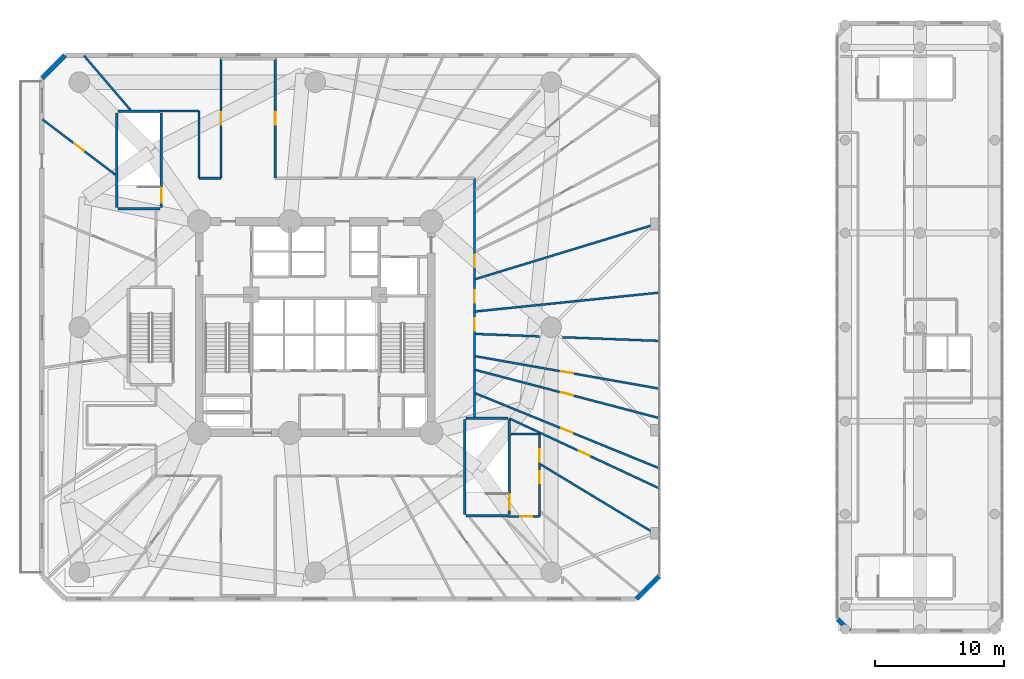
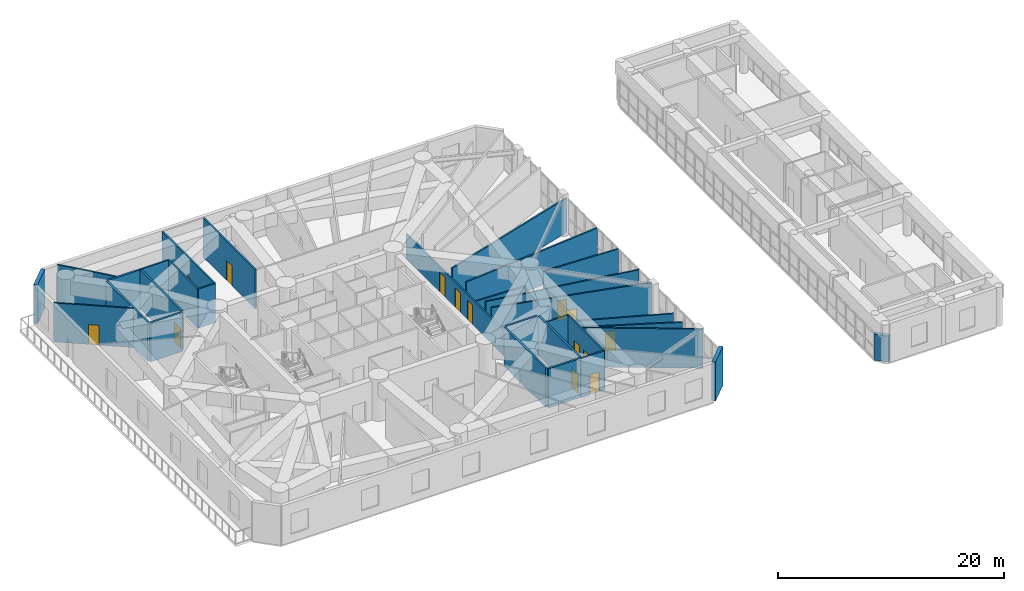
# One storey, part 16 of 22: 31 walls, 15 doors, 15 openings.
"""IFC4 building model written with IfcOpenShell, lengths in metres."""

from ifc_helpers import new_model, si_unit, direction, frame, frame_2d, origin, origin_with_axes, place, context, subcontext, project, spatial, rectangle, extrude, source, transform, mapped, material, layer, layer_set, type_object, element, fill, save


model = new_model("IFC4")

# Units and contexts
model_context = context("Model", 3, precision=1e-05, world=origin(), true_north=direction((0.0, 1.0)))
body_context = subcontext(model_context, "Body", "Model", "MODEL_VIEW")
ifc_project = project(units=[si_unit("LENGTHUNIT", "METRE"), si_unit("AREAUNIT", "SQUARE_METRE"), si_unit("VOLUMEUNIT", "CUBIC_METRE"), si_unit("PLANEANGLEUNIT", "RADIAN"), si_unit("MASSUNIT", "GRAM", prefix="KILO")], contexts=[model_context])

# Site, building, storey
site_placement = place(None, origin())
site = spatial("IfcSite", under=ifc_project, at=site_placement, CompositionType="ELEMENT")
building_placement = place(site_placement, origin())
building = spatial("IfcBuilding", under=site, at=building_placement, Name="Karkom Vertical University and Central Library", CompositionType="ELEMENT")
storey_placement = place(building_placement, frame((0.0, 0.0, 18.0)))
storey = spatial("IfcBuildingStorey", under=building, at=storey_placement, Name="L04", CompositionType="ELEMENT", Elevation=18.0)

# Walls
ifc_material_1 = material(Name="Brick masonry 360mm insulated cavity", Category="masonry")
ifc_layer_1 = layer(ifc_material_1, 0.360107421875)
ifc_layer_set_1 = layer_set([ifc_layer_1], Name="Brick masonry 360mm insulated cavity")
wall_type_1 = type_object("IfcWallType", Name="ENV-WL-BRK-360", PredefinedType="SOLIDWALL", material=ifc_layer_set_1)
for number, where, z_axis, x_axis, name in (
    (1, (53.39990234375, 5.39990234375, 0.0), (0.0, 0.0, 1.0), (0.707106781187, 0.707106781187, 0.0), "Level 04 POD Terracotta Brick Facade Wall 02"),
    (2, (9.10009765625, 47.60009765625, 0.0), (0.0, 0.0, 1.0), (-0.707106781187, -0.707106781187, 0.0), "Level 04 POD Terracotta Brick Facade Wall 06"),
):
    element("IfcWall", number, at=place(storey_placement, frame(where, z_axis=z_axis, x_axis=x_axis)), inside=storey, type_object=wall_type_1, Name=name, PredefinedType="SOLIDWALL", context=body_context, shape_type="SweptSolid", body=[
        extrude(rectangle(XDim=2.545654296875, YDim=0.360107421875, at=frame_2d((1.27294921875, 0.0))), origin(), (0.0, 0.0, 1.0), 4.22509765625),
    ])
wall_1_placement = place(storey_placement, frame((69.0, 3.8701171875, 0.0), z_axis=(0.0, 0.0, 1.0), x_axis=(0.707015922623, -0.707197628077, 0.0)))
element("IfcWall", 3, at=wall_1_placement, inside=storey, type_object=wall_type_1, Name="Level 04 LIB Terracotta Brick Facade Wall 08", PredefinedType="SOLIDWALL", context=body_context, shape_type="SweptSolid", body=[
    extrude(rectangle(XDim=1.343505859375, YDim=0.360107421875, at=frame_2d((0.671875, 0.0))), origin(), (0.0, 0.0, 1.0), 2.824951171875),
])

# Wall, openings, doors
ifc_material_2 = material(Name="Insulated metal-stud drywall 160mm", Category="gypsum")
ifc_layer_2 = layer(ifc_material_2, 0.159912109375)
ifc_layer_set_2 = layer_set([ifc_layer_2], Name="Insulated metal-stud drywall 160mm")
wall_type_2 = type_object("IfcWallType", Name="INT-WL-COR-160", PredefinedType="PARTITIONING", material=ifc_layer_set_2)
wall_2_placement = place(storey_placement, frame((40.85009765625, 38.050048828125, 0.0), z_axis=(0.0, 0.0, 1.0), x_axis=(0.0, -1.0, 0.0)))
wall_2 = element("IfcWall", 4, at=wall_2_placement, inside=storey, type_object=wall_type_2, Name="Level 04 Interior Partition Wall Level 04-PDCW-CW-009", PredefinedType="PARTITIONING", context=body_context, shape_type="SweptSolid", body=[
    extrude(rectangle(XDim=18.508056640625, YDim=0.159912109375, at=frame_2d((9.25390625, 0.0))), origin(), (0.0, 0.0, 1.0), 2.72509765625),
])
opening_1_placement = place(wall_2_placement, frame((10.85595703125, 0.0, 0.0)))
opening_1 = element("IfcOpeningElement", 5, at=opening_1_placement, cuts=wall_2, Name="Opening FD-RM2", PredefinedType="OPENING", context=body_context, shape_type="SweptSolid", body=[
    extrude(rectangle(XDim=0.9599609375, YDim=2.14990234375, at=frame_2d((0.47998046875, 1.074951171875))), frame((0.0, 0.08984375, 0.0), z_axis=(0.0, -1.0, 0.0), x_axis=(1.0, 0.0, 0.0)), (0.0, 0.0, 1.0), 0.179931640625),
])
opening_2_placement = place(wall_2_placement, frame((8.695068359375, 0.0, 0.0)))
opening_2 = element("IfcOpeningElement", 6, at=opening_2_placement, cuts=wall_2, Name="Opening FD-RM2", PredefinedType="OPENING", context=body_context, shape_type="SweptSolid", body=[
    extrude(rectangle(XDim=0.9599609375, YDim=2.14990234375, at=frame_2d((0.47998046875, 1.074951171875))), frame((0.0, 0.08984375, 0.0), z_axis=(0.0, -1.0, 0.0), x_axis=(1.0, 0.0, 0.0)), (0.0, 0.0, 1.0), 0.179931640625),
])
opening_3_placement = place(wall_2_placement, frame((5.944091796875, 0.0, 0.0)))
opening_3 = element("IfcOpeningElement", 7, at=opening_3_placement, cuts=wall_2, Name="Opening FD-RM2", PredefinedType="OPENING", context=body_context, shape_type="SweptSolid", body=[
    extrude(rectangle(XDim=0.9599609375, YDim=2.14990234375, at=frame_2d((0.47998046875, 1.074951171875))), frame((0.0, 0.08984375, 0.0), z_axis=(0.0, -1.0, 0.0), x_axis=(1.0, 0.0, 0.0)), (0.0, 0.0, 1.0), 0.179931640625),
])
ifc_material_3 = material(Name="Fire-rated oak veneer door", Category="wood")
door_type_1 = type_object("IfcDoorType", Name="INT-DR-FRM2", OperationType="NOTDEFINED", PredefinedType="DOOR", material=ifc_material_3)
shared_shape_1 = source(origin_with_axes(), body_context, "Body", "SweptSolid", [
    extrude(rectangle(XDim=0.9599609375, YDim=2.14990234375, at=frame_2d((0.47998046875, 1.074951171875))), frame((0.0, 0.02490234375, 0.0), z_axis=(0.0, -1.0, 0.0), x_axis=(1.0, 0.0, 0.0)), (0.0, 0.0, 1.0), 0.050048828125),
])
door_1_placement = place(opening_1_placement, origin())
door_1 = element("IfcDoor", 8, at=door_1_placement, inside=storey, type_object=door_type_1, Name="Level 04 Room Entry Door 817", OperationType="SINGLE_SWING_LEFT", OverallHeight=2.14990234375, OverallWidth=0.9599609375, PredefinedType="DOOR", context=body_context, shape_type="MappedRepresentation", body=[
    mapped(shared_shape_1, transform((0.0, 0.0, 0.0), scale=1.0)),
])
fill(opening_1, door_1)
door_2_placement = place(opening_2_placement, origin())
door_2 = element("IfcDoor", 9, at=door_2_placement, inside=storey, type_object=door_type_1, Name="Level 04 Room Entry Door 818", OperationType="SINGLE_SWING_RIGHT", OverallHeight=2.14990234375, OverallWidth=0.9599609375, PredefinedType="DOOR", context=body_context, shape_type="MappedRepresentation", body=[
    mapped(shared_shape_1, transform((0.0, 0.0, 0.0), scale=1.0)),
])
fill(opening_2, door_2)
door_3_placement = place(opening_3_placement, origin())
door_3 = element("IfcDoor", 10, at=door_3_placement, inside=storey, type_object=door_type_1, Name="Level 04 Room Entry Door 819", OperationType="SINGLE_SWING_LEFT", OverallHeight=2.14990234375, OverallWidth=0.9599609375, PredefinedType="DOOR", context=body_context, shape_type="MappedRepresentation", body=[
    mapped(shared_shape_1, transform((0.0, 0.0, 0.0), scale=1.0)),
])
fill(opening_3, door_3)

# Wall, opening, door
wall_3_placement = place(storey_placement, frame((40.918212890625, 21.37158203125, 0.0), z_axis=(0.0, 0.0, 1.0), x_axis=(0.92597161246, -0.377593131449, 0.0)))
wall_3 = element("IfcWall", 11, at=wall_3_placement, inside=storey, type_object=wall_type_2, Name="Level 04 Interior Partition Wall Level 04-PODW-14-15-1", PredefinedType="PARTITIONING", context=body_context, shape_type="SweptSolid", body=[
    extrude(rectangle(XDim=15.3916015625, YDim=0.159912109375, at=frame_2d((7.69580078125, 0.0))), origin(), (0.0, 0.0, 1.0), 2.72509765625),
])
opening_4_placement = place(wall_3_placement, frame((7.19580078125, 0.0, 0.0)))
opening_4 = element("IfcOpeningElement", 12, at=opening_4_placement, cuts=wall_3, Name="Opening FD-RM2", PredefinedType="OPENING", context=body_context, shape_type="SweptSolid", body=[
    extrude(rectangle(XDim=0.9599609375, YDim=2.14990234375, at=frame_2d((0.47998046875, 1.074951171875))), frame((0.0, 0.08984375, 0.0), z_axis=(0.0, -1.0, 0.0), x_axis=(1.0, 0.0, 0.0)), (0.0, 0.0, 1.0), 0.179931640625),
])
door_4_placement = place(opening_4_placement, origin())
door_4 = element("IfcDoor", 13, at=door_4_placement, inside=storey, type_object=door_type_1, Name="Level 04 Room Entry Door 814", OperationType="SINGLE_SWING_RIGHT", OverallHeight=2.14990234375, OverallWidth=0.9599609375, PredefinedType="DOOR", context=body_context, shape_type="MappedRepresentation", body=[
    mapped(shared_shape_1, transform((0.0, 0.0, 0.0), scale=1.0)),
])
fill(opening_4, door_4)

# Wall
wall_4_placement = place(storey_placement, frame((40.917724609375, 30.223388671875, 0.0), z_axis=(0.0, 0.0, 1.0), x_axis=(0.956535282376, 0.291616620873, 0.0)))
element("IfcWall", 14, at=wall_4_placement, inside=storey, type_object=wall_type_2, Name="Level 04 Interior Partition Wall Level 04-PODW-19-20-1", PredefinedType="PARTITIONING", context=body_context, shape_type="SweptSolid", body=[
    extrude(rectangle(XDim=14.902099609375, YDim=0.159912109375, at=frame_2d((7.451171875, 0.0))), origin(), (0.0, 0.0, 1.0), 3.72509765625),
])

# Wall, opening, door
wall_5_placement = place(storey_placement, frame((40.91748046875, 23.18408203125, 0.0), z_axis=(0.0, 0.0, 1.0), x_axis=(0.967334122043, -0.253504825064, 0.0)))
wall_5 = element("IfcWall", 15, at=wall_5_placement, inside=storey, type_object=wall_type_2, Name="Level 04 Interior Partition Wall Level 04-PODW-15-16-1", PredefinedType="PARTITIONING", context=body_context, shape_type="SweptSolid", body=[
    extrude(rectangle(XDim=14.73681640625, YDim=0.159912109375, at=frame_2d((7.368408203125, 0.0))), origin(), (0.0, 0.0, 1.0), 3.72509765625),
])
opening_5_placement = place(wall_5_placement, frame((6.868408203125, 0.0, 0.0)))
opening_5 = element("IfcOpeningElement", 16, at=opening_5_placement, cuts=wall_5, Name="Opening FD-RM2", PredefinedType="OPENING", context=body_context, shape_type="SweptSolid", body=[
    extrude(rectangle(XDim=0.9599609375, YDim=2.14990234375, at=frame_2d((0.47998046875, 1.074951171875))), frame((0.0, 0.08984375, 0.0), z_axis=(0.0, -1.0, 0.0), x_axis=(1.0, 0.0, 0.0)), (0.0, 0.0, 1.0), 0.179931640625),
])
door_5_placement = place(opening_5_placement, origin())
door_5 = element("IfcDoor", 17, at=door_5_placement, inside=storey, type_object=door_type_1, Name="Level 04 Room Entry Door 815", OperationType="SINGLE_SWING_LEFT", OverallHeight=2.14990234375, OverallWidth=0.9599609375, PredefinedType="DOOR", context=body_context, shape_type="MappedRepresentation", body=[
    mapped(shared_shape_1, transform((0.0, 0.0, 0.0), scale=1.0)),
])
fill(opening_5, door_5)

wall_6_placement = place(storey_placement, frame((40.931884765625, 24.244384765625, 0.0), z_axis=(0.0, 0.0, 1.0), x_axis=(0.984776590319, -0.173824817446, 0.0)))
wall_6 = element("IfcWall", 18, at=wall_6_placement, inside=storey, type_object=wall_type_2, Name="Level 04 Interior Partition Wall Level 04-PODW-16-17-1", PredefinedType="PARTITIONING", context=body_context, shape_type="SweptSolid", body=[
    extrude(rectangle(XDim=14.46240234375, YDim=0.159912109375, at=frame_2d((7.231201171875, 0.0))), origin(), (0.0, 0.0, 1.0), 3.72509765625),
])
opening_6_placement = place(wall_6_placement, frame((6.738525390625, 0.0, 0.0)))
opening_6 = element("IfcOpeningElement", 19, at=opening_6_placement, cuts=wall_6, Name="Opening FD-RM2", PredefinedType="OPENING", context=body_context, shape_type="SweptSolid", body=[
    extrude(rectangle(XDim=0.9599609375, YDim=2.14990234375, at=frame_2d((0.47998046875, 1.074951171875))), frame((0.0, 0.08984375, 0.0), z_axis=(0.0, -1.0, 0.0), x_axis=(1.0, 0.0, 0.0)), (0.0, 0.0, 1.0), 0.179931640625),
])
door_6_placement = place(opening_6_placement, origin())
door_6 = element("IfcDoor", 20, at=door_6_placement, inside=storey, type_object=door_type_1, Name="Level 04 Room Entry Door 816", OperationType="SINGLE_SWING_RIGHT", OverallHeight=2.14990234375, OverallWidth=0.9599609375, PredefinedType="DOOR", context=body_context, shape_type="MappedRepresentation", body=[
    mapped(shared_shape_1, transform((0.0, 0.0, 0.0), scale=1.0)),
])
fill(opening_6, door_6)

# Wall
wall_7_placement = place(storey_placement, frame((40.9169921875, 27.714599609375, 0.0), z_axis=(0.0, 0.0, 1.0), x_axis=(0.994774077244, 0.102100613339, 0.0)))
element("IfcWall", 21, at=wall_7_placement, inside=storey, type_object=wall_type_2, Name="Level 04 Interior Partition Wall Level 04-PODW-18-19-1", PredefinedType="PARTITIONING", context=body_context, shape_type="SweptSolid", body=[
    extrude(rectangle(XDim=14.332763671875, YDim=0.159912109375, at=frame_2d((7.16650390625, 0.0))), origin(), (0.0, 0.0, 1.0), 3.72509765625),
])

# Wall, opening, door
wall_8_placement = place(storey_placement, frame((43.57275390625, 19.408203125, 0.0), z_axis=(0.0, 0.0, 1.0), x_axis=(0.906378533885, -0.422466511468, 0.0)))
wall_8 = element("IfcWall", 22, at=wall_8_placement, inside=storey, type_object=wall_type_2, Name="Level 04 Interior Partition Wall Level 04-PODW-13-14-1", PredefinedType="PARTITIONING", context=body_context, shape_type="SweptSolid", body=[
    extrude(rectangle(XDim=12.7939453125, YDim=0.159912109375, at=frame_2d((6.39697265625, 0.0))), origin(), (0.0, 0.0, 1.0), 2.72509765625),
])
opening_7_placement = place(wall_8_placement, frame((5.904541015625, 0.0, 0.0)))
opening_7 = element("IfcOpeningElement", 23, at=opening_7_placement, cuts=wall_8, Name="Opening FD-RM2", PredefinedType="OPENING", context=body_context, shape_type="SweptSolid", body=[
    extrude(rectangle(XDim=0.9599609375, YDim=2.14990234375, at=frame_2d((0.47998046875, 1.074951171875))), frame((0.0, 0.08984375, 0.0), z_axis=(0.0, -1.0, 0.0), x_axis=(1.0, 0.0, 0.0)), (0.0, 0.0, 1.0), 0.179931640625),
])
door_7_placement = place(opening_7_placement, origin())
door_7 = element("IfcDoor", 24, at=door_7_placement, inside=storey, type_object=door_type_1, Name="Level 04 Room Entry Door 813", OperationType="SINGLE_SWING_LEFT", OverallHeight=2.14990234375, OverallWidth=0.9599609375, PredefinedType="DOOR", context=body_context, shape_type="MappedRepresentation", body=[
    mapped(shared_shape_1, transform((0.0, 0.0, 0.0), scale=1.0)),
])
fill(opening_7, door_7)

# Wall
wall_9_placement = place(storey_placement, frame((45.98193359375, 15.853271484375, 0.0), z_axis=(0.0, 0.0, 1.0), x_axis=(0.855606653808, -0.517626558398, 0.0)))
element("IfcWall", 25, at=wall_9_placement, inside=storey, type_object=wall_type_2, Name="Level 04 Interior Partition Wall Level 04-PODW-12-13-1", PredefinedType="PARTITIONING", context=body_context, shape_type="SweptSolid", body=[
    extrude(rectangle(XDim=10.7333984375, YDim=0.159912109375, at=frame_2d((5.36669921875, 0.0))), origin(), (0.0, 0.0, 1.0), 4.22509765625),
])

# Wall, opening, door
wall_10_placement = place(storey_placement, frame((21.199951171875, 38.050048828125, 0.0), z_axis=(0.0, 0.0, 1.0), x_axis=(0.0, 1.0, 0.0)))
wall_10 = element("IfcWall", 26, at=wall_10_placement, inside=storey, type_object=wall_type_2, Name="Level 04 Interior Partition Wall Level 04-PDCW-CW-005", PredefinedType="PARTITIONING", context=body_context, shape_type="SweptSolid", body=[
    extrude(rectangle(XDim=9.27001953125, YDim=0.159912109375, at=frame_2d((4.635009765625, 0.0))), origin(), (0.0, 0.0, 1.0), 4.22509765625),
])
opening_8_placement = place(wall_10_placement, frame((4.159912109375, 0.0, 0.0)))
opening_8 = element("IfcOpeningElement", 27, at=opening_8_placement, cuts=wall_10, Name="Opening FD-RM2", PredefinedType="OPENING", context=body_context, shape_type="SweptSolid", body=[
    extrude(rectangle(XDim=0.9599609375, YDim=2.14990234375, at=frame_2d((0.47998046875, 1.074951171875))), frame((0.0, 0.08984375, 0.0), z_axis=(0.0, -1.0, 0.0), x_axis=(1.0, 0.0, 0.0)), (0.0, 0.0, 1.0), 0.179931640625),
])
door_8_placement = place(opening_8_placement, origin())
door_8 = element("IfcDoor", 28, at=door_8_placement, inside=storey, type_object=door_type_1, Name="Level 04 Room Entry Door 829", OperationType="SINGLE_SWING_LEFT", OverallHeight=2.14990234375, OverallWidth=0.9599609375, PredefinedType="DOOR", context=body_context, shape_type="MappedRepresentation", body=[
    mapped(shared_shape_1, transform((0.0, 0.0, 0.0), scale=1.0)),
])
fill(opening_8, door_8)

wall_11_placement = place(storey_placement, frame((25.39990234375, 47.320068359375, 0.0), z_axis=(0.0, 0.0, 1.0), x_axis=(0.0, -1.0, 0.0)))
wall_11 = element("IfcWall", 29, at=wall_11_placement, inside=storey, type_object=wall_type_2, Name="Level 04 Interior Partition Wall Level 04-PDCW-CW-007", PredefinedType="PARTITIONING", context=body_context, shape_type="SweptSolid", body=[
    extrude(rectangle(XDim=9.27001953125, YDim=0.159912109375, at=frame_2d((4.635009765625, 0.0))), origin(), (0.0, 0.0, 1.0), 4.22509765625),
])
opening_9_placement = place(wall_11_placement, frame((4.159912109375, 0.0, 0.0)))
opening_9 = element("IfcOpeningElement", 30, at=opening_9_placement, cuts=wall_11, Name="Opening FD-RM2", PredefinedType="OPENING", context=body_context, shape_type="SweptSolid", body=[
    extrude(rectangle(XDim=0.9599609375, YDim=2.14990234375, at=frame_2d((0.47998046875, 1.074951171875))), frame((0.0, 0.08984375, 0.0), z_axis=(0.0, -1.0, 0.0), x_axis=(1.0, 0.0, 0.0)), (0.0, 0.0, 1.0), 0.179931640625),
])
door_9_placement = place(opening_9_placement, origin())
door_9 = element("IfcDoor", 31, at=door_9_placement, inside=storey, type_object=door_type_1, Name="Level 04 Room Entry Door 828", OperationType="SINGLE_SWING_RIGHT", OverallHeight=2.14990234375, OverallWidth=0.9599609375, PredefinedType="DOOR", context=body_context, shape_type="MappedRepresentation", body=[
    mapped(shared_shape_1, transform((0.0, 0.0, 0.0), scale=1.0)),
])
fill(opening_9, door_9)

# Wall
wall_12_placement = place(storey_placement, frame((47.68994140625, 25.715576171875, 0.0), z_axis=(0.0, 0.0, 1.0), x_axis=(0.999288692834, -0.0377108522, 0.0)))
element("IfcWall", 32, at=wall_12_placement, inside=storey, type_object=wall_type_2, Name="Level 04 Interior Partition Wall Level 04-PODW-17-18-2", PredefinedType="PARTITIONING", context=body_context, shape_type="SweptSolid", body=[
    extrude(rectangle(XDim=7.490478515625, YDim=0.159912109375, at=frame_2d((3.7451171875, 0.0))), origin(), (0.0, 0.0, 1.0), 3.72509765625),
])

# Wall, opening, door
wall_13_placement = place(storey_placement, frame((13.0048828125, 38.32080078125, 0.0), z_axis=(0.0, 0.0, 1.0), x_axis=(-0.796928360901, 0.604073826276, 0.0)))
wall_13 = element("IfcWall", 33, at=wall_13_placement, inside=storey, type_object=wall_type_2, Name="Level 04 Interior Partition Wall Level 04-PODW-31-32-1", PredefinedType="PARTITIONING", context=body_context, shape_type="SweptSolid", body=[
    extrude(rectangle(XDim=7.11083984375, YDim=0.159912109375, at=frame_2d((3.555419921875, 0.0))), origin(), (0.0, 0.0, 1.0), 4.22509765625),
])
opening_10_placement = place(wall_13_placement, frame((3.055419921875, 0.0, 0.0)))
opening_10 = element("IfcOpeningElement", 34, at=opening_10_placement, cuts=wall_13, Name="Opening FD-RM2", PredefinedType="OPENING", context=body_context, shape_type="SweptSolid", body=[
    extrude(rectangle(XDim=0.9599609375, YDim=2.14990234375, at=frame_2d((0.47998046875, 1.074951171875))), frame((0.0, 0.08984375, 0.0), z_axis=(0.0, -1.0, 0.0), x_axis=(1.0, 0.0, 0.0)), (0.0, 0.0, 1.0), 0.179931640625),
])
door_10_placement = place(opening_10_placement, origin())
door_10 = element("IfcDoor", 35, at=door_10_placement, inside=storey, type_object=door_type_1, Name="Level 04 Room Entry Door 830", OperationType="SINGLE_SWING_RIGHT", OverallHeight=2.14990234375, OverallWidth=0.9599609375, PredefinedType="DOOR", context=body_context, shape_type="MappedRepresentation", body=[
    mapped(shared_shape_1, transform((0.0, 0.0, 0.0), scale=1.0)),
])
fill(opening_10, door_10)

# Wall, openings, doors
wall_14_placement = place(storey_placement, frame((45.89990234375, 18.199951171875, 0.0), z_axis=(0.0, 0.0, 1.0), x_axis=(0.0, -1.0, 0.0)))
wall_14 = element("IfcWall", 36, at=wall_14_placement, inside=storey, type_object=wall_type_2, Name="Level 04 Interior Partition Wall Level 04-PDCW-CW-022", PredefinedType="PARTITIONING", context=body_context, shape_type="SweptSolid", body=[
    extrude(rectangle(XDim=6.39990234375, YDim=0.159912109375, at=frame_2d((3.199951171875, 0.0))), origin(), (0.0, 0.0, 1.0), 4.22509765625),
])
opening_11_placement = place(wall_14_placement, frame((2.864990234375, 0.0, 0.0)))
opening_11 = element("IfcOpeningElement", 37, at=opening_11_placement, cuts=wall_14, Name="Opening FD-RM2", PredefinedType="OPENING", context=body_context, shape_type="SweptSolid", body=[
    extrude(rectangle(XDim=0.9599609375, YDim=2.14990234375, at=frame_2d((0.47998046875, 1.074951171875))), frame((0.0, 0.08984375, 0.0), z_axis=(0.0, -1.0, 0.0), x_axis=(1.0, 0.0, 0.0)), (0.0, 0.0, 1.0), 0.179931640625),
])
opening_12_placement = place(wall_14_placement, frame((1.175048828125, 0.0, 0.0)))
opening_12 = element("IfcOpeningElement", 38, at=opening_12_placement, cuts=wall_14, Name="Opening FD-RM2", PredefinedType="OPENING", context=body_context, shape_type="SweptSolid", body=[
    extrude(rectangle(XDim=0.9599609375, YDim=2.14990234375, at=frame_2d((0.47998046875, 1.074951171875))), frame((0.0, 0.08984375, 0.0), z_axis=(0.0, -1.0, 0.0), x_axis=(1.0, 0.0, 0.0)), (0.0, 0.0, 1.0), 0.179931640625),
])
door_11_placement = place(opening_11_placement, origin())
door_11 = element("IfcDoor", 39, at=door_11_placement, inside=storey, type_object=door_type_1, Name="Level 04 Room Entry Door 811", OperationType="SINGLE_SWING_LEFT", OverallHeight=2.14990234375, OverallWidth=0.9599609375, PredefinedType="DOOR", context=body_context, shape_type="MappedRepresentation", body=[
    mapped(shared_shape_1, transform((0.0, 0.0, 0.0), scale=1.0)),
])
fill(opening_11, door_11)
door_12_placement = place(opening_12_placement, origin())
door_12 = element("IfcDoor", 40, at=door_12_placement, inside=storey, type_object=door_type_1, Name="Level 04 Room Entry Door 812", OperationType="SINGLE_SWING_RIGHT", OverallHeight=2.14990234375, OverallWidth=0.9599609375, PredefinedType="DOOR", context=body_context, shape_type="MappedRepresentation", body=[
    mapped(shared_shape_1, transform((0.0, 0.0, 0.0), scale=1.0)),
])
fill(opening_12, door_12)

# Walls
wall_15_placement = place(storey_placement, frame((14.176513671875, 43.3369140625, 0.0), z_axis=(0.0, 0.0, 1.0), x_axis=(-0.65004930136, 0.759892035622, 0.0)))
element("IfcWall", 41, at=wall_15_placement, inside=storey, type_object=wall_type_2, Name="Level 04 Interior Partition Wall Level 04-PODW-30-31-1", PredefinedType="PARTITIONING", context=body_context, shape_type="SweptSolid", body=[
    extrude(rectangle(XDim=5.556640625, YDim=0.159912109375, at=frame_2d((2.7783203125, 0.0))), origin(), (0.0, 0.0, 1.0), 4.22509765625),
])
wall_16_placement = place(storey_placement, frame((19.47998046875, 43.25, 0.0), z_axis=(0.0, 0.0, 1.0), x_axis=(0.0, -1.0, 0.0)))
element("IfcWall", 42, at=wall_16_placement, inside=storey, type_object=wall_type_2, Name="Level 04 Interior Partition Wall Level 04-PDCW-CW-003", PredefinedType="PARTITIONING", context=body_context, shape_type="SweptSolid", body=[
    extrude(rectangle(XDim=5.199951171875, YDim=0.159912109375, at=frame_2d((2.60009765625, 0.0))), origin(), (0.0, 0.0, 1.0), 4.22509765625),
])
wall_17_placement = place(storey_placement, frame((40.9169921875, 25.97119140625, 0.0), z_axis=(0.0, 0.0, 1.0), x_axis=(0.999288275906, -0.037721898636, 0.0)))
element("IfcWall", 43, at=wall_17_placement, inside=storey, type_object=wall_type_2, Name="Level 04 Interior Partition Wall Level 04-PODW-17-18-1", PredefinedType="PARTITIONING", context=body_context, shape_type="SweptSolid", body=[
    extrude(rectangle(XDim=4.99658203125, YDim=0.159912109375, at=frame_2d((2.498291015625, 0.0))), origin(), (0.0, 0.0, 1.0), 2.72509765625),
])
wall_18_placement = place(storey_placement, frame((16.465087890625, 43.25, 0.0), z_axis=(0.0, 0.0, 1.0), x_axis=(1.0, 0.0, 0.0)))
element("IfcWall", 44, at=wall_18_placement, inside=storey, type_object=wall_type_2, Name="Level 04 Interior Partition Wall Level 04-PDCW-CW-002", PredefinedType="PARTITIONING", context=body_context, shape_type="SweptSolid", body=[
    extrude(rectangle(XDim=3.014892578125, YDim=0.159912109375, at=frame_2d((1.50732421875, 0.0))), origin(), (0.0, 0.0, 1.0), 4.22509765625),
])

# Wall, opening, door
wall_19_placement = place(storey_placement, frame((45.89990234375, 11.800048828125, 0.0), z_axis=(0.0, 0.0, 1.0), x_axis=(-1.0, 0.0, 0.0)))
wall_19 = element("IfcWall", 45, at=wall_19_placement, inside=storey, type_object=wall_type_2, Name="Level 04 Interior Partition Wall Level 04-PDCW-CW-020", PredefinedType="PARTITIONING", context=body_context, shape_type="SweptSolid", body=[
    extrude(rectangle(XDim=2.434814453125, YDim=0.159912109375, at=frame_2d((1.21728515625, 0.0))), origin(), (0.0, 0.0, 1.0), 4.22509765625),
])
opening_13_placement = place(wall_19_placement, frame((0.554931640625, 0.0, 0.0)))
opening_13 = element("IfcOpeningElement", 46, at=opening_13_placement, cuts=wall_19, Name="Opening FD-RM2", PredefinedType="OPENING", context=body_context, shape_type="SweptSolid", body=[
    extrude(rectangle(XDim=0.9599609375, YDim=2.14990234375, at=frame_2d((0.47998046875, 1.074951171875))), frame((0.0, 0.08984375, 0.0), z_axis=(0.0, -1.0, 0.0), x_axis=(1.0, 0.0, 0.0)), (0.0, 0.0, 1.0), 0.179931640625),
])
door_13_placement = place(opening_13_placement, origin())
door_13 = element("IfcDoor", 47, at=door_13_placement, inside=storey, type_object=door_type_1, Name="Level 04 Room Entry Door 810", OperationType="SINGLE_SWING_RIGHT", OverallHeight=2.14990234375, OverallWidth=0.9599609375, PredefinedType="DOOR", context=body_context, shape_type="MappedRepresentation", body=[
    mapped(shared_shape_1, transform((0.0, 0.0, 0.0), scale=1.0)),
])
fill(opening_13, door_13)

# Walls
wall_20_placement = place(storey_placement, frame((43.672119140625, 18.199951171875, 0.0), z_axis=(0.0, 0.0, 1.0), x_axis=(1.0, 0.0, 0.0)))
element("IfcWall", 48, at=wall_20_placement, inside=storey, type_object=wall_type_2, Name="Level 04 Interior Partition Wall Level 04-PDCW-CW-021", PredefinedType="PARTITIONING", context=body_context, shape_type="SweptSolid", body=[
    extrude(rectangle(XDim=2.227783203125, YDim=0.159912109375, at=frame_2d((1.11376953125, 0.0))), origin(), (0.0, 0.0, 1.0), 4.22509765625),
])
wall_21_placement = place(storey_placement, frame((19.47998046875, 38.050048828125, 0.0), z_axis=(0.0, 0.0, 1.0), x_axis=(1.0, 0.0, 0.0)))
element("IfcWall", 49, at=wall_21_placement, inside=storey, type_object=wall_type_2, Name="Level 04 Interior Partition Wall Level 04-PDCW-CW-004", PredefinedType="PARTITIONING", context=body_context, shape_type="SweptSolid", body=[
    extrude(rectangle(XDim=1.719970703125, YDim=0.159912109375, at=frame_2d((0.85986328125, 0.0))), origin(), (0.0, 0.0, 1.0), 4.22509765625),
])
ifc_material_4 = material(Name="Concrete C45/55", Category="concrete")
ifc_layer_3 = layer(ifc_material_4, 0.199951171875)
ifc_layer_set_3 = layer_set([ifc_layer_3], Name="Concrete C45/55")
wall_type_3 = type_object("IfcWallType", Name="STR-WL-ST-200", PredefinedType="SHEAR", material=ifc_layer_set_3)
wall_22_placement = place(storey_placement, frame((13.094970703125, 35.780029296875, 0.0), z_axis=(0.0, 0.0, 1.0), x_axis=(0.0, 1.0, 0.0)))
element("IfcWall", 50, at=wall_22_placement, inside=storey, type_object=wall_type_3, Name="Level 04 Core Shaft Wall Level 04-W-POD2-W", PredefinedType="SHEAR", context=body_context, shape_type="SweptSolid", body=[
    extrude(rectangle(XDim=7.349853515625, YDim=0.199951171875, at=frame_2d((3.6748046875, 0.0))), origin(), (0.0, 0.0, 1.0), 4.22509765625),
])

# Wall, opening, door
wall_23_placement = place(storey_placement, frame((16.56494140625, 35.780029296875, 0.0), z_axis=(0.0, 0.0, 1.0), x_axis=(0.0, 1.0, 0.0)))
wall_23 = element("IfcWall", 51, at=wall_23_placement, inside=storey, type_object=wall_type_3, Name="Level 04 Core Shaft Wall Level 04-W-POD2-E", PredefinedType="SHEAR", context=body_context, shape_type="SweptSolid", body=[
    extrude(rectangle(XDim=7.349853515625, YDim=0.199951171875, at=frame_2d((3.6748046875, 0.0))), origin(), (0.0, 0.0, 1.0), 4.22509765625),
])
opening_14_placement = place(wall_23_placement, frame((0.35009765625, 0.0, 0.0)))
opening_14 = element("IfcOpeningElement", 52, at=opening_14_placement, cuts=wall_23, Name="Opening FD-ST1", PredefinedType="OPENING", context=body_context, shape_type="SweptSolid", body=[
    extrude(rectangle(XDim=1.14990234375, YDim=2.14990234375, at=frame_2d((0.574951171875, 1.074951171875))), frame((0.0, 0.10986328125, 0.0), z_axis=(0.0, -1.0, 0.0), x_axis=(1.0, 0.0, 0.0)), (0.0, 0.0, 1.0), 0.219970703125),
])
ifc_material_5 = material(Name="Painted steel acoustic fire door", Category="steel")
door_type_2 = type_object("IfcDoorType", Name="INT-DR-ST1", OperationType="NOTDEFINED", PredefinedType="DOOR", material=ifc_material_5)
shared_shape_2 = source(origin_with_axes(), body_context, "Body", "SweptSolid", [
    extrude(rectangle(XDim=1.14990234375, YDim=2.14990234375, at=frame_2d((0.574951171875, 1.074951171875))), frame((0.0, 0.02490234375, 0.0), z_axis=(0.0, -1.0, 0.0), x_axis=(1.0, 0.0, 0.0)), (0.0, 0.0, 1.0), 0.050048828125),
])
door_14_placement = place(opening_14_placement, origin())
door_14 = element("IfcDoor", 53, at=door_14_placement, inside=storey, type_object=door_type_2, Name="Level 04 POD2 Stair Door", OperationType="SINGLE_SWING_LEFT", OverallHeight=2.14990234375, OverallWidth=1.14990234375, PredefinedType="DOOR", context=body_context, shape_type="MappedRepresentation", body=[
    mapped(shared_shape_2, transform((0.0, 0.0, 0.0), scale=1.0)),
])
fill(opening_14, door_14)

# Wall
wall_24_placement = place(storey_placement, frame((40.094970703125, 11.97998046875, 0.0), z_axis=(0.0, 0.0, 1.0), x_axis=(0.0, 1.0, 0.0)))
element("IfcWall", 54, at=wall_24_placement, inside=storey, type_object=wall_type_3, Name="Level 04 Core Shaft Wall Level 04-W-POD1-W", PredefinedType="SHEAR", context=body_context, shape_type="SweptSolid", body=[
    extrude(rectangle(XDim=7.35009765625, YDim=0.199951171875, at=frame_2d((3.675048828125, 0.0))), origin(), (0.0, 0.0, 1.0), 4.22509765625),
])

# Wall, opening, door
wall_25_placement = place(storey_placement, frame((43.56494140625, 11.97998046875, 0.0), z_axis=(0.0, 0.0, 1.0), x_axis=(0.0, 1.0, 0.0)))
wall_25 = element("IfcWall", 55, at=wall_25_placement, inside=storey, type_object=wall_type_3, Name="Level 04 Core Shaft Wall Level 04-W-POD1-E", PredefinedType="SHEAR", context=body_context, shape_type="SweptSolid", body=[
    extrude(rectangle(XDim=7.35009765625, YDim=0.199951171875, at=frame_2d((3.675048828125, 0.0))), origin(), (0.0, 0.0, 1.0), 4.22509765625),
])
opening_15_placement = place(wall_25_placement, frame((0.35009765625, 0.0, 0.0)))
opening_15 = element("IfcOpeningElement", 56, at=opening_15_placement, cuts=wall_25, Name="Opening FD-ST1", PredefinedType="OPENING", context=body_context, shape_type="SweptSolid", body=[
    extrude(rectangle(XDim=1.14990234375, YDim=2.14990234375, at=frame_2d((0.574951171875, 1.074951171875))), frame((0.0, 0.10986328125, 0.0), z_axis=(0.0, -1.0, 0.0), x_axis=(1.0, 0.0, 0.0)), (0.0, 0.0, 1.0), 0.219970703125),
])
door_15_placement = place(opening_15_placement, origin())
door_15 = element("IfcDoor", 57, at=door_15_placement, inside=storey, type_object=door_type_2, Name="Level 04 POD1 Stair Door", OperationType="SINGLE_SWING_RIGHT", OverallHeight=2.14990234375, OverallWidth=1.14990234375, PredefinedType="DOOR", context=body_context, shape_type="MappedRepresentation", body=[
    mapped(shared_shape_2, transform((0.0, 0.0, 0.0), scale=1.0)),
])
fill(opening_15, door_15)

# Walls
for number, where, z_axis, x_axis, name in (
    (58, (13.199951171875, 35.675048828125, 0.0), (0.0, 0.0, 1.0), (1.0, 0.0, 0.0), "Level 04 Core Shaft Wall Level 04-W-POD2-S"),
    (59, (13.199951171875, 43.235107421875, 0.0), (0.0, 0.0, 1.0), (1.0, 0.0, 0.0), "Level 04 Core Shaft Wall Level 04-W-POD2-N"),
    (60, (40.199951171875, 11.875, 0.0), (0.0, 0.0, 1.0), (1.0, 0.0, 0.0), "Level 04 Core Shaft Wall Level 04-W-POD1-S"),
    (61, (40.199951171875, 19.43505859375, 0.0), (0.0, 0.0, 1.0), (1.0, 0.0, 0.0), "Level 04 Core Shaft Wall Level 04-W-POD1-N"),
):
    element("IfcWall", number, at=place(storey_placement, frame(where, z_axis=z_axis, x_axis=x_axis)), inside=storey, type_object=wall_type_3, Name=name, PredefinedType="SHEAR", context=body_context, shape_type="SweptSolid", body=[
        extrude(rectangle(XDim=3.260009765625, YDim=0.199951171875, at=frame_2d((1.6298828125, 0.0))), origin(), (0.0, 0.0, 1.0), 4.22509765625),
    ])

save(model, "model.ifc")
